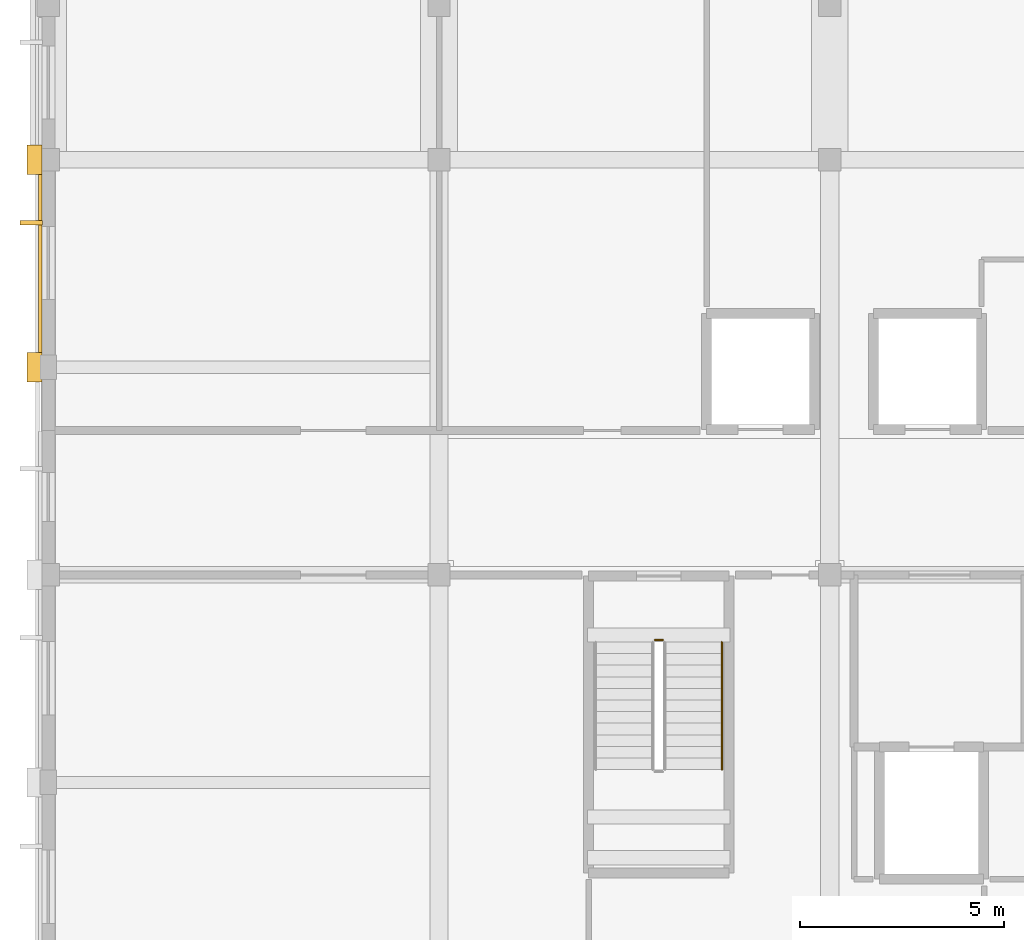
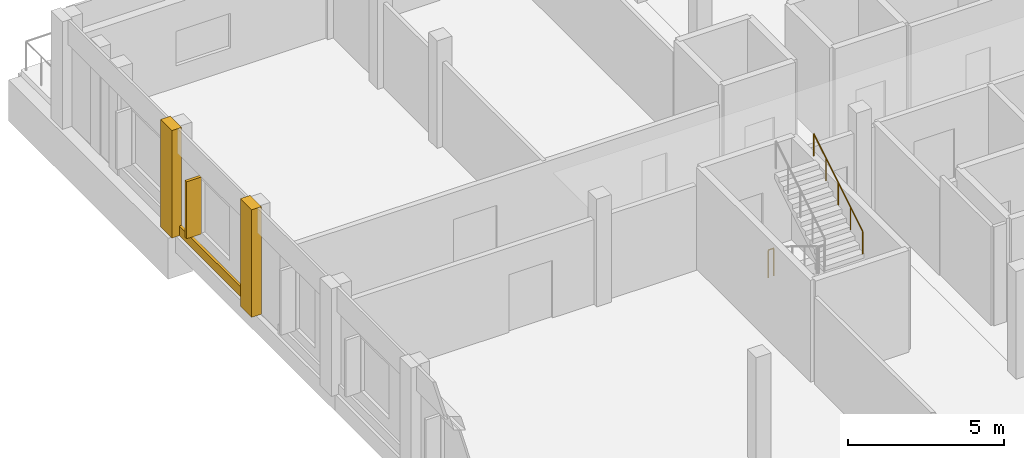
# One storey, part 66 of 70: 3 coverings, 2 railings, 1 shading device.
"""IFC4 building model written with IfcOpenShell, lengths in metres."""

from ifc_helpers import new_model, si_unit, direction, frame, origin, origin_2d, place, context, subcontext, project, spatial, rectangle, circle, extrude, material, layer, layer_set, type_object, element, save


model = new_model("IFC4")

# Units and contexts
model_context = context("Model", 3, precision=1e-05, world=origin(), true_north=direction((0.0, 1.0)))
body_context = subcontext(model_context, "Body", "Model", "MODEL_VIEW")
ifc_project = project(units=[si_unit("LENGTHUNIT", "METRE"), si_unit("AREAUNIT", "SQUARE_METRE"), si_unit("VOLUMEUNIT", "CUBIC_METRE"), si_unit("PLANEANGLEUNIT", "RADIAN"), si_unit("MASSUNIT", "GRAM", prefix="KILO")], contexts=[model_context])

# Site, building, storey
site_placement = place(None, origin())
site = spatial("IfcSite", under=ifc_project, at=site_placement, CompositionType="ELEMENT")
building_placement = place(site_placement, origin())
building = spatial("IfcBuilding", under=site, at=building_placement, Name="Vondelvale Polytechnic", CompositionType="ELEMENT")
storey_placement = place(building_placement, frame((0.0, 0.0, 22.199951171875)))
storey = spatial("IfcBuildingStorey", under=building, at=storey_placement, Name="L05", CompositionType="ELEMENT", Elevation=22.199951171875)

# Coverings
ifc_material_1 = material(Name="Amsterdam School iron-spot clinker clay brickwork", Category="masonry")
ifc_layer_1 = layer(ifc_material_1, 0.090087890625)
ifc_layer_set_1 = layer_set([ifc_layer_1], Name="COV-BRICK-RELIEF")
covering_type = type_object("IfcCoveringType", Name="COV-BRICK-RELIEF", PredefinedType="CLADDING", material=ifc_layer_set_1)
covering_placement = place(storey_placement, frame((-0.200927734375, 28.0625, 0.0), z_axis=(0.0, 0.0, 1.0), x_axis=(0.0, 1.0, 0.0)))
element("IfcCovering", 1, at=covering_placement, inside=storey, type_object=covering_type, Name="L05 exterior corbelled masonry relief band", PredefinedType="CLADDING", context=body_context, shape_type="SweptSolid", body=[
    extrude(rectangle(XDim=4.462890625, YDim=0.090087890625, at=origin_2d()), origin(), (0.0, 0.0, 1.0), 0.3798828125),
])
for number, where, z_axis, x_axis, name in (
    (2, (-0.340087890625, 25.5, 0.0), (0.0, 0.0, 1.0), (1.0, 0.0, 0.0), "L05 Classical street pilaster"),
    (3, (-0.340087890625, 30.60009765625, 0.0), (0.0, 0.0, 1.0), (1.0, 0.0, 0.0), "L05 Classical street pilaster"),
):
    element("IfcCovering", number, at=place(storey_placement, frame(where, z_axis=z_axis, x_axis=x_axis)), inside=storey, type_object=covering_type, Name=name, PredefinedType="CLADDING", context=body_context, shape_type="SweptSolid", body=[
        extrude(rectangle(XDim=0.360107421875, YDim=0.719970703125, at=origin_2d()), origin(), (0.0, 0.0, 1.0), 4.199951171875),
    ])

# Railings
ifc_material_2 = material(Name="Brushed architectural stainless and zinc-coated metal")
ifc_layer_2 = layer(ifc_material_2, 0.050048828125)
ifc_layer_set_2 = layer_set([ifc_layer_2], Name="RL-STAIR-GUARD")
railing_type_1 = type_object("IfcRailingType", Name="RL-STAIR-GUARD", PredefinedType="GUARDRAIL", material=ifc_layer_set_2)
railing_1_placement = place(storey_placement, frame((14.89990234375, 18.800048828125, 0.0)))
element("IfcRailing", 4, at=railing_1_placement, inside=storey, type_object=railing_type_1, Name="L05 ST-03 stair guard 4", PredefinedType="GUARDRAIL", context=body_context, shape_type="SweptSolid", body=[
    extrude(circle(Radius=0.02392578125, at=origin_2d()), frame((0.0, 0.0, 1.076171875), z_axis=(1.0, 0.0, 0.0), x_axis=(0.0, 1.0, 0.0)), (0.0, 0.0, 1.0), 0.2001953125),
    extrude(circle(Radius=0.02099609375, at=origin_2d()), origin(), (0.0, 0.0, 1.0), 1.052001953125),
    extrude(circle(Radius=0.02099609375, at=origin_2d()), frame((0.2001953125, 0.0, 0.0)), (0.0, 0.0, 1.0), 1.052001953125),
])
ifc_layer_3 = layer(ifc_material_2, 0.048095703125)
ifc_layer_set_3 = layer_set([ifc_layer_3], Name="RL-STAIR-HANDRAIL")
railing_type_2 = type_object("IfcRailingType", Name="RL-STAIR-HANDRAIL", PredefinedType="HANDRAIL", material=ifc_layer_set_3)
railing_2_placement = place(storey_placement, frame((16.550048828125, 15.614990234375, 2.275146484375)))
element("IfcRailing", 5, at=railing_2_placement, inside=storey, type_object=railing_type_2, Name="L05 ST-03 stair handrail 2", PredefinedType="HANDRAIL", context=body_context, shape_type="SweptSolid", body=[
    extrude(circle(Radius=0.02392578125, at=origin_2d()), frame((0.0, 0.0, 0.8759765625), z_axis=(0.0, 0.852195625947, 0.523223293744), x_axis=(-1.0, 0.0, 0.0)), (0.0, 0.0, 1.0), 3.6787109375),
    extrude(circle(Radius=0.02099609375, at=origin_2d()), origin(), (0.0, 0.0, 1.0), 0.851806640625),
    extrude(circle(Radius=0.02099609375, at=origin_2d()), frame((0.0, 0.78369140625, 0.481201171875)), (0.0, 0.0, 1.0), 0.851806640625),
    extrude(circle(Radius=0.02099609375, at=origin_2d()), frame((0.0, 1.5673828125, 0.96240234375)), (0.0, 0.0, 1.0), 0.851806640625),
    extrude(circle(Radius=0.02099609375, at=origin_2d()), frame((0.0, 2.351318359375, 1.443603515625)), (0.0, 0.0, 1.0), 0.851806640625),
    extrude(circle(Radius=0.02099609375, at=origin_2d()), frame((0.0, 3.135009765625, 1.9248046875)), (0.0, 0.0, 1.0), 0.851806640625),
])

# Shading device
ifc_material_3 = material(Name="Kiln-fired architectural terracotta", Category="masonry")
shading_device_type = type_object("IfcShadingDeviceType", Name="SHD-TERRA-FIN-550", PredefinedType="JALOUSIE", material=ifc_material_3)
shading_device_placement = place(storey_placement, frame((-0.419921875, 29.052490234375, 0.7900390625), z_axis=(0.0, 0.0, 1.0), x_axis=(0.0, 1.0, 0.0)))
element("IfcShadingDevice", 6, at=shading_device_placement, inside=storey, type_object=shading_device_type, Name="L05 vertical terracotta solar fin", PredefinedType="JALOUSIE", context=body_context, shape_type="SweptSolid", body=[
    extrude(rectangle(XDim=0.110107421875, YDim=0.550048828125, at=origin_2d()), origin(), (0.0, 0.0, 1.0), 2.219970703125),
])

save(model, "model.ifc")
